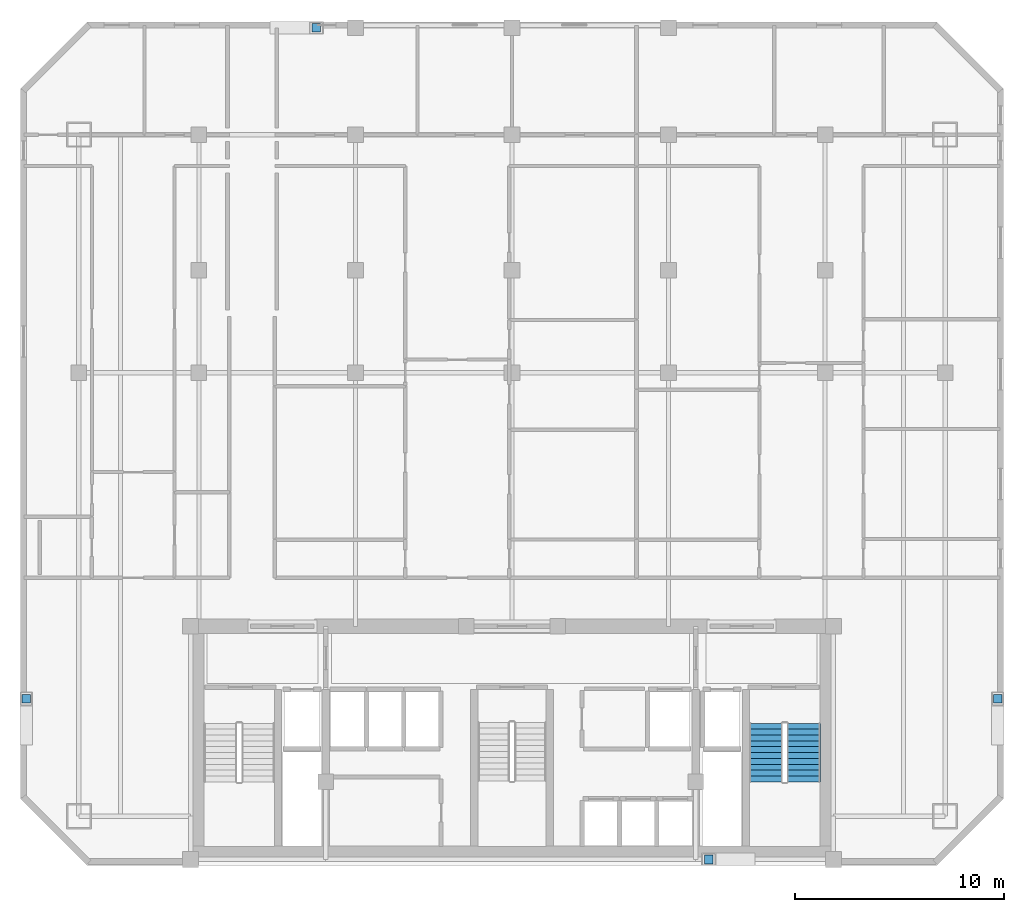
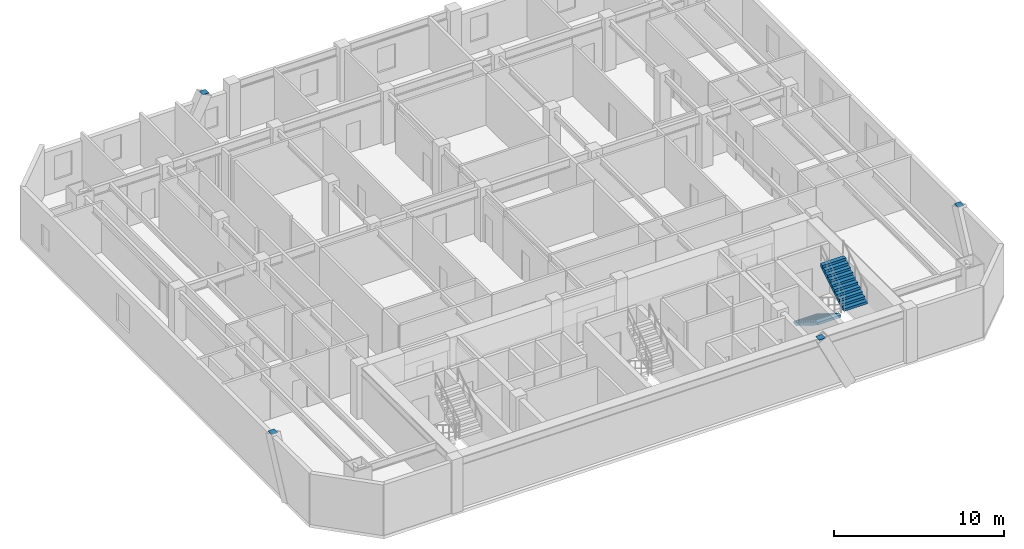
# One storey, part 7 of 8: 4 discrete accessories, 2 stair flights, 1 element without a shape of its own.
"""IFC4 building model written with IfcOpenShell, lengths in metres."""

from ifc_helpers import new_model, si_unit, direction, frame, origin, origin_2d, place, context, subcontext, project, spatial, polyline, rectangle, outline, extrude, material, type_object, element, aggregate, save


model = new_model("IFC4")

# Units and contexts
model_context = context("Model", 3, precision=1e-05, world=origin(), true_north=direction((0.0, 1.0)))
body_context = subcontext(model_context, "Body", "Model", "MODEL_VIEW")
ifc_project = project(units=[si_unit("LENGTHUNIT", "METRE"), si_unit("AREAUNIT", "SQUARE_METRE"), si_unit("VOLUMEUNIT", "CUBIC_METRE"), si_unit("PLANEANGLEUNIT", "RADIAN"), si_unit("MASSUNIT", "GRAM", prefix="KILO")], contexts=[model_context])

# Site, building, storey
site_placement = place(None, origin())
site = spatial("IfcSite", under=ifc_project, at=site_placement, CompositionType="ELEMENT")
building_placement = place(site_placement, origin())
building = spatial("IfcBuilding", under=site, at=building_placement, Name="Ventersveld Concourse Tower", CompositionType="ELEMENT")
storey_placement = place(building_placement, frame((0.0, 0.0, 164.449951171875)))
storey = spatial("IfcBuildingStorey", under=building, at=storey_placement, Name="L40", CompositionType="ELEMENT", Elevation=164.449951171875)

# Stair, stair flights
ifc_material_1 = material(Name="Concrete C50/60", Category="concrete")
stair_type = type_object("IfcStairType", Name="ST-DOG-160", PredefinedType="HALF_TURN_STAIR", material=ifc_material_1)
stair_placement = place(storey_placement, origin())
stair = element("IfcStair", 1, at=stair_placement, inside=storey, type_object=stair_type, Name="L40 Protected Tower Escape Stair ST-02", PredefinedType="HALF_TURN_STAIR")
stair_flight_type = type_object("IfcStairFlightType", Name="STF-RC-160", PredefinedType="STRAIGHT", material=ifc_material_1)
stair_flight_1_placement = place(storey_placement, frame((40.919921875, 6.800048828125, 0.0), z_axis=(0.0, 0.0, 1.0), x_axis=(0.0, -1.0, 0.0)))
stair_flight_1 = element("IfcStairFlight", 2, at=stair_flight_1_placement, type_object=stair_flight_type, Name="ST-02 flight 1", NumberOfRisers=11, NumberOfTreads=10, PredefinedType="STRAIGHT", RiserHeight=0.175, TreadLength=0.28, context=body_context, shape_type="SweptSolid", body=[
    extrude(outline(polyline([(0.0, 0.0), (0.0, 0.175048828125), (0.280029296875, 0.175048828125), (0.280029296875, 0.35009765625), (0.56005859375, 0.35009765625), (0.56005859375, 0.52490234375), (0.840087890625, 0.52490234375), (0.840087890625, 0.699951171875), (1.1201171875, 0.699951171875), (1.1201171875, 0.875), (1.39990234375, 0.875), (1.39990234375, 1.050048828125), (1.679931640625, 1.050048828125), (1.679931640625, 1.22509765625), (1.9599609375, 1.22509765625), (1.9599609375, 1.39990234375), (2.239990234375, 1.39990234375), (2.239990234375, 1.574951171875), (2.52001953125, 1.574951171875), (2.52001953125, 1.75), (2.800048828125, 1.75), (2.800048828125, 1.925048828125), (2.800048828125, 1.5732421875), (0.28271484375, 0.0), (0.0, 0.0)])), frame((0.0, 0.800048828125, 0.0), z_axis=(0.0, -1.0, 0.0), x_axis=(1.0, 0.0, 0.0)), (0.0, 0.0, 1.0), 1.60009765625),
])
stair_flight_2_placement = place(storey_placement, frame((42.719970703125, 4.0, 1.925048828125), z_axis=(0.0, 0.0, 1.0), x_axis=(0.0, 1.0, 0.0)))
stair_flight_2 = element("IfcStairFlight", 3, at=stair_flight_2_placement, type_object=stair_flight_type, Name="ST-02 flight 2", NumberOfRisers=11, NumberOfTreads=10, PredefinedType="STRAIGHT", RiserHeight=0.175, TreadLength=0.28, context=body_context, shape_type="SweptSolid", body=[
    extrude(outline(polyline([(0.0, 0.0), (0.0, 0.175048828125), (0.280029296875, 0.175048828125), (0.280029296875, 0.35009765625), (0.56005859375, 0.35009765625), (0.56005859375, 0.52490234375), (0.840087890625, 0.52490234375), (0.840087890625, 0.699951171875), (1.1201171875, 0.699951171875), (1.1201171875, 0.875), (1.39990234375, 0.875), (1.39990234375, 1.050048828125), (1.679931640625, 1.050048828125), (1.679931640625, 1.22509765625), (1.9599609375, 1.22509765625), (1.9599609375, 1.39990234375), (2.239990234375, 1.39990234375), (2.239990234375, 1.574951171875), (2.52001953125, 1.574951171875), (2.52001953125, 1.75), (2.800048828125, 1.75), (2.800048828125, 1.925048828125), (2.800048828125, 1.5732421875), (0.28271484375, 0.0), (0.0, 0.0)])), frame((0.0, 0.800048828125, 0.0), z_axis=(0.0, -1.0, 0.0), x_axis=(1.0, 0.0, 0.0)), (0.0, 0.0, 1.0), 1.60009765625),
])
aggregate(stair, [stair_flight_1, stair_flight_2])

# Discrete accessories
ifc_material_2 = material(Name="Structural steel S355J2", Category="steel")
discrete_accessory_type = type_object("IfcDiscreteAccessoryType", Name="CONN-BRACE-ECP1", PredefinedType="BRACKET", material=ifc_material_2)
for number, where, z_axis, x_axis, name in (
    (4, (19.375, 40.1201171875, 3.610107421875), (0.0, 0.0, 1.0), (1.0, 0.0, 0.0), "L40 Steel Brace End Connection Plate ECP1-0335"),
    (5, (38.175048828125, 0.280029296875, 3.610107421875), (0.0, 0.0, 1.0), (1.0, 0.0, 0.0), "L40 Steel Brace End Connection Plate ECP1-0339"),
    (6, (5.47998046875, 7.97509765625, 3.610107421875), (0.0, 0.0, 1.0), (1.0, 0.0, 0.0), "L40 Steel Brace End Connection Plate ECP1-0344"),
    (7, (52.02001953125, 7.97509765625, 3.610107421875), (0.0, 0.0, 1.0), (1.0, 0.0, 0.0), "L40 Steel Brace End Connection Plate ECP1-0349"),
):
    element("IfcDiscreteAccessory", number, at=place(storey_placement, frame(where, z_axis=z_axis, x_axis=x_axis)), inside=storey, type_object=discrete_accessory_type, Name=name, PredefinedType="BRACKET", context=body_context, shape_type="SweptSolid", body=[
        extrude(rectangle(XDim=0.419921875, YDim=0.419921875, at=origin_2d()), origin(), (0.0, 0.0, 1.0), 0.0400390625),
    ])

save(model, "model.ifc")
